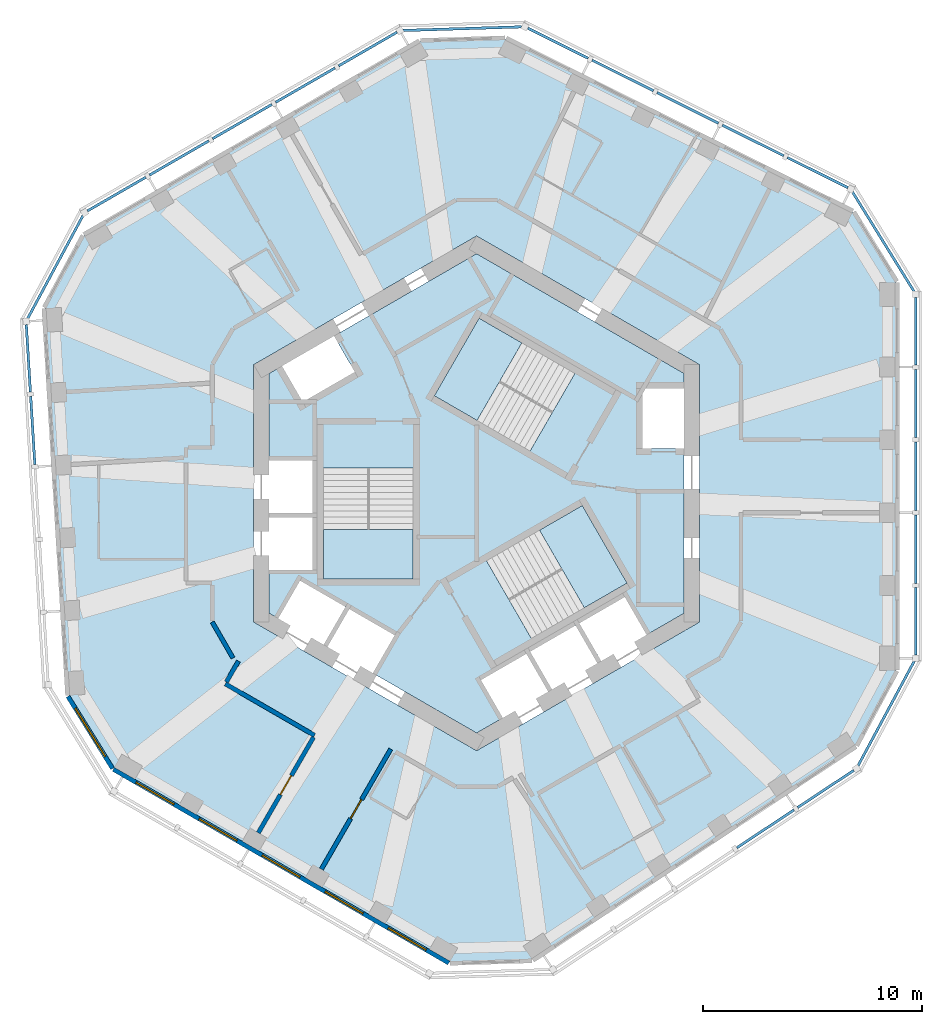
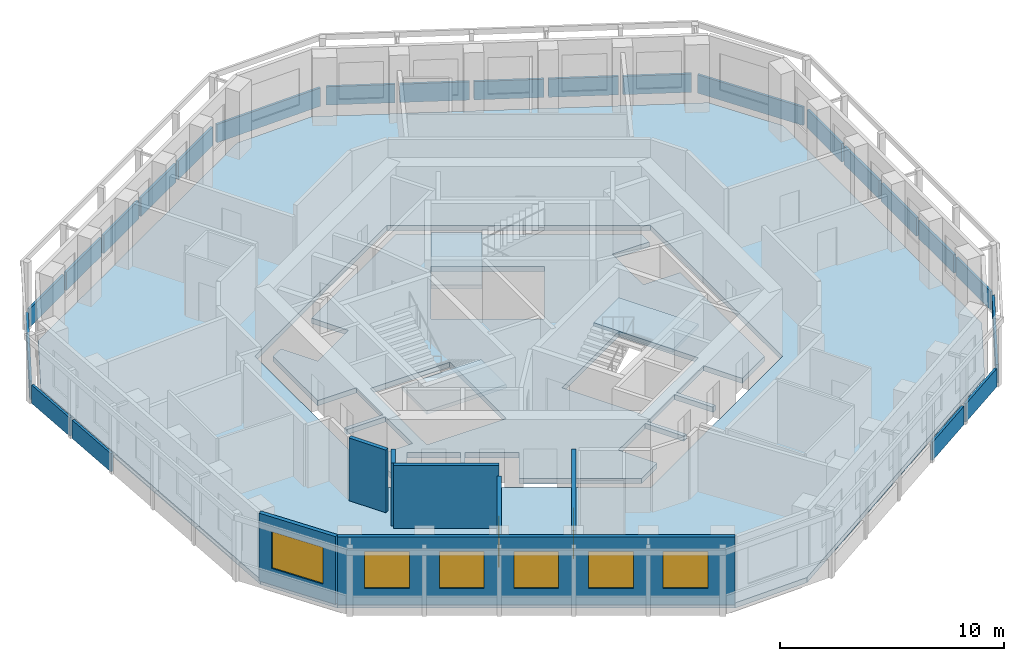
# One storey, part 3 of 10: 23 plates, 7 walls, 6 windows, 5 slabs, 2 doors, 8 openings, 12 elements without a shape of their own.
"""IFC4 building model written with IfcOpenShell, lengths in metres."""

from ifc_helpers import new_model, si_unit, direction, frame, frame_2d, origin, origin_2d, place, context, subcontext, project, spatial, polyline, rectangle, outline, extrude, material, layer, layer_set, type_object, element, fill, aggregate, save


model = new_model("IFC4")

# Units and contexts
model_context = context("Model", 3, precision=1e-05, world=origin(), true_north=direction((0.0, 1.0)))
body_context = subcontext(model_context, "Body", "Model", "MODEL_VIEW")
ifc_project = project(units=[si_unit("LENGTHUNIT", "METRE"), si_unit("AREAUNIT", "SQUARE_METRE"), si_unit("VOLUMEUNIT", "CUBIC_METRE"), si_unit("PLANEANGLEUNIT", "RADIAN"), si_unit("MASSUNIT", "GRAM", prefix="KILO")], contexts=[model_context])

# Site, building, storey
site_placement = place(None, origin())
site = spatial("IfcSite", under=ifc_project, at=site_placement, CompositionType="ELEMENT")
building_placement = place(site_placement, origin())
building = spatial("IfcBuilding", under=site, at=building_placement, Name="Vanh Sen Convention Tower", CompositionType="ELEMENT")
storey_placement = place(building_placement, frame((0.0, 0.0, 263.5)))
storey = spatial("IfcBuildingStorey", under=building, at=storey_placement, Name="L65", CompositionType="ELEMENT", Elevation=263.5)

# Slabs
ifc_material_1 = material(Name="Concrete C40/50", Category="concrete")
ifc_layer_1 = layer(ifc_material_1, 0.280029296875)
ifc_layer_set_1 = layer_set([ifc_layer_1], Name="Concrete C40/50")
slab_type_1 = type_object("IfcSlabType", Name="Core slab 280", PredefinedType="FLOOR", material=ifc_layer_set_1)
slab_1_placement = place(storey_placement, frame((0.0, 0.0, -0.280029296875)))
element("IfcSlab", 1, at=slab_1_placement, inside=storey, type_object=slab_type_1, Name="Core slab L65", PredefinedType="FLOOR", context=body_context, shape_type="SweptSolid", body=[
    extrude(outline(polyline([(0.0, 10.9697265625), (9.5, 5.48486328125), (9.5, 4.800048828125), (7.60009765625, 4.800048828125), (7.60009765625, 2.050048828125), (9.5, 2.050048828125), (9.5, -5.48486328125), (7.781005859375, -6.477294921875), (6.781005859375, -4.7451171875), (4.70263671875, -5.9453125), (5.70263671875, -7.67724609375), (5.529296875, -7.777099609375), (4.529296875, -6.045166015625), (2.450927734375, -7.2451171875), (3.450927734375, -8.977294921875), (3.27783203125, -9.0771484375), (2.27783203125, -7.34521484375), (0.19921875, -8.545166015625), (1.19921875, -10.277099609375), (0.0, -10.9697265625), (-4.75, -8.227294921875), (-3.75, -6.4951171875), (-5.82861328125, -5.295166015625), (-6.82861328125, -7.027099609375), (-7.001708984375, -6.92724609375), (-6.001708984375, -5.1953125), (-8.080078125, -3.9951171875), (-9.080078125, -5.727294921875), (-9.5, -5.48486328125), (-9.5, -3.5), (-7.5, -3.5), (-7.5, -1.10009765625), (-9.5, -1.10009765625), (-9.5, -0.89990234375), (-7.5, -0.89990234375), (-7.5, 1.5), (-9.5, 1.5), (-9.5, 5.48486328125), (-8.906982421875, 5.8271484375), (-7.956787109375, 4.181884765625), (-5.575439453125, 5.556884765625), (-6.525390625, 7.2021484375), (0.0, 10.9697265625)]), holes=[polyline([(-7.0, 1.1494140625), (-7.0, -3.909912109375), (-2.89990234375, -3.909912109375), (-2.89990234375, 1.1494140625), (-7.0, 1.1494140625)]), polyline([(2.504638671875, -6.63671875), (6.88623046875, -4.107177734375), (4.836181640625, -0.556396484375), (0.45458984375, -3.086181640625), (2.504638671875, -6.63671875)]), polyline([(0.11376953125, 8.01708984375), (-1.936279296875, 4.466552734375), (2.4453125, 1.936767578125), (4.495361328125, 5.487548828125), (0.11376953125, 8.01708984375)])]), origin(), (0.0, 0.0, 1.0), 0.280029296875),
])
ifc_layer_2 = layer(ifc_material_1, 0.280029296875)
ifc_layer_set_2 = layer_set([ifc_layer_2], Name="Concrete C40/50")
slab_type_2 = type_object("IfcSlabType", Name="Floor slab 280 REI 120", PredefinedType="FLOOR", material=ifc_layer_set_2)
slab_2_placement = place(storey_placement, frame((0.0, 0.0, -0.280029296875)))
element("IfcSlab", 2, at=slab_2_placement, inside=storey, type_object=slab_type_2, Name="Floor slab L65 tower", PredefinedType="FLOOR", context=body_context, shape_type="SweptSolid", body=[
    extrude(outline(polyline([(19.199951171875, -8.0966796875), (19.199951171875, 9.66162109375), (17.21337890625, 12.871826171875), (1.32080078125, 20.79541015625), (-2.587890625, 20.676025390625), (-17.967041015625, 11.796875), (-19.75390625, 8.471435546875), (-18.669921875, -9.25390625), (-16.612060546875, -12.579345703125), (-1.23291015625, -21.45849609375), (2.54052734375, -21.34326171875), (17.34912109375, -11.541748046875), (19.199951171875, -8.0966796875)]), holes=[polyline([(0.0, 11.77783203125), (-10.199951171875, 5.888916015625), (-10.199951171875, -5.888916015625), (0.0, -11.77783203125), (10.199951171875, -5.888916015625), (10.199951171875, 5.888916015625), (0.0, 11.77783203125)])]), origin(), (0.0, 0.0, 1.0), 0.280029296875),
])

# Curtain wall, plates
ifc_material_2 = material(Name="Concrete C50/60", Category="concrete")
curtain_wall_type = type_object("IfcCurtainWallType", Name="Outer skin office zone", PredefinedType="NOTDEFINED", material=ifc_material_2)
curtain_wall_1_placement = place(storey_placement, origin())
curtain_wall_1 = element("IfcCurtainWall", 3, at=curtain_wall_1_placement, inside=storey, type_object=curtain_wall_type, Name="OUTER SKIN E L65", PredefinedType="NOTDEFINED")
ifc_layer_3 = layer(ifc_material_2, 0.1201171875)
ifc_layer_set_3 = layer_set([ifc_layer_3], Name="Concrete C50/60")
plate_type = type_object("IfcPlateType", Name="Outer skin precast screen panel 120", PredefinedType="CURTAIN_PANEL", material=ifc_layer_set_3)
plate_1_placement = place(storey_placement, frame((20.10009765625, -5.85595703125, 0.0), z_axis=(0.0, 0.0, 1.0), x_axis=(0.0, 1.0, 0.0)))
plate_1 = element("IfcPlate", 4, at=plate_1_placement, type_object=plate_type, Name="OUTER SKIN screen panel E-1", PredefinedType="CURTAIN_PANEL", context=body_context, shape_type="SweptSolid", body=[
    extrude(rectangle(XDim=3.08154296875, YDim=0.1201171875, at=origin_2d()), origin(), (0.0, 0.0, 1.0), 1.0),
])
plate_2_placement = place(storey_placement, frame((20.10009765625, -2.54931640625, 0.0), z_axis=(0.0, 0.0, 1.0), x_axis=(0.0, 1.0, 0.0)))
plate_2 = element("IfcPlate", 5, at=plate_2_placement, type_object=plate_type, Name="OUTER SKIN screen panel E-2", PredefinedType="CURTAIN_PANEL", context=body_context, shape_type="SweptSolid", body=[
    extrude(rectangle(XDim=3.131591796875, YDim=0.1201171875, at=origin_2d()), origin(), (0.0, 0.0, 1.0), 1.0),
])
plate_3_placement = place(storey_placement, frame((20.10009765625, 0.782470703125, 0.0), z_axis=(0.0, 0.0, 1.0), x_axis=(0.0, 1.0, 0.0)))
plate_3 = element("IfcPlate", 6, at=plate_3_placement, type_object=plate_type, Name="OUTER SKIN screen panel E-3", PredefinedType="CURTAIN_PANEL", context=body_context, shape_type="SweptSolid", body=[
    extrude(rectangle(XDim=3.131591796875, YDim=0.1201171875, at=origin_2d()), origin(), (0.0, 0.0, 1.0), 1.0),
])
plate_4_placement = place(storey_placement, frame((20.10009765625, 4.114013671875, 0.0), z_axis=(0.0, 0.0, 1.0), x_axis=(0.0, 1.0, 0.0)))
plate_4 = element("IfcPlate", 7, at=plate_4_placement, type_object=plate_type, Name="OUTER SKIN screen panel E-4", PredefinedType="CURTAIN_PANEL", context=body_context, shape_type="SweptSolid", body=[
    extrude(rectangle(XDim=3.131591796875, YDim=0.1201171875, at=origin_2d()), origin(), (0.0, 0.0, 1.0), 1.0),
])
plate_5_placement = place(storey_placement, frame((20.10009765625, 7.420654296875, 0.0), z_axis=(0.0, 0.0, 1.0), x_axis=(0.0, 1.0, 0.0)))
plate_5 = element("IfcPlate", 8, at=plate_5_placement, type_object=plate_type, Name="OUTER SKIN screen panel E-5", PredefinedType="CURTAIN_PANEL", context=body_context, shape_type="SweptSolid", body=[
    extrude(rectangle(XDim=3.08154296875, YDim=0.1201171875, at=origin_2d()), origin(), (0.0, 0.0, 1.0), 1.0),
])
aggregate(curtain_wall_1, [plate_1, plate_2, plate_3, plate_4, plate_5])

# Curtain wall, plate
curtain_wall_2_placement = place(storey_placement, origin())
curtain_wall_2 = element("IfcCurtainWall", 9, at=curtain_wall_2_placement, inside=storey, type_object=curtain_wall_type, Name="OUTER SKIN CH1 L65", PredefinedType="NOTDEFINED")
plate_6_placement = place(storey_placement, frame((18.611328125, 11.51708984375, 0.0), z_axis=(0.0, 0.0, 1.0), x_axis=(-0.526218376078, 0.850349469734, 0.0)))
plate_6 = element("IfcPlate", 10, at=plate_6_placement, type_object=plate_type, Name="OUTER SKIN screen panel CH1-1", PredefinedType="CURTAIN_PANEL", context=body_context, shape_type="SweptSolid", body=[
    extrude(rectangle(XDim=5.35791015625, YDim=0.1201171875, at=origin_2d()), origin(), (0.0, 0.0, 1.0), 1.0),
])
aggregate(curtain_wall_2, [plate_6])

# Curtain wall, plates
curtain_wall_3_placement = place(storey_placement, origin())
curtain_wall_3 = element("IfcCurtainWall", 11, at=curtain_wall_3_placement, inside=storey, type_object=curtain_wall_type, Name="OUTER SKIN NE L65", PredefinedType="NOTDEFINED")
plate_7_placement = place(storey_placement, frame((15.609619140625, 14.677001953125, 0.0), z_axis=(0.0, 0.0, 1.0), x_axis=(-0.894931246532, 0.446204060919, 0.0)))
plate_7 = element("IfcPlate", 12, at=plate_7_placement, type_object=plate_type, Name="OUTER SKIN screen panel NE-1", PredefinedType="CURTAIN_PANEL", context=body_context, shape_type="SweptSolid", body=[
    extrude(rectangle(XDim=3.081787109375, YDim=0.1201171875, at=origin_2d()), origin(), (0.0, 0.0, 1.0), 1.0),
])
plate_8_placement = place(storey_placement, frame((12.650390625, 16.152587890625, 0.0), z_axis=(0.0, 0.0, 1.0), x_axis=(-0.894931246532, 0.446204060919, 0.0)))
plate_8 = element("IfcPlate", 13, at=plate_8_placement, type_object=plate_type, Name="OUTER SKIN screen panel NE-2", PredefinedType="CURTAIN_PANEL", context=body_context, shape_type="SweptSolid", body=[
    extrude(rectangle(XDim=3.131591796875, YDim=0.1201171875, at=origin_2d()), origin(), (0.0, 0.0, 1.0), 1.0),
])
plate_9_placement = place(storey_placement, frame((9.668701171875, 17.63916015625, 0.0), z_axis=(0.0, 0.0, 1.0), x_axis=(-0.894931246532, 0.446204060919, 0.0)))
plate_9 = element("IfcPlate", 14, at=plate_9_placement, type_object=plate_type, Name="OUTER SKIN screen panel NE-3", PredefinedType="CURTAIN_PANEL", context=body_context, shape_type="SweptSolid", body=[
    extrude(rectangle(XDim=3.131591796875, YDim=0.1201171875, at=origin_2d()), origin(), (0.0, 0.0, 1.0), 1.0),
])
plate_10_placement = place(storey_placement, frame((6.687255859375, 19.125732421875, 0.0), z_axis=(0.0, 0.0, 1.0), x_axis=(-0.89494292782, 0.446180631521, 0.0)))
plate_10 = element("IfcPlate", 15, at=plate_10_placement, type_object=plate_type, Name="OUTER SKIN screen panel NE-4", PredefinedType="CURTAIN_PANEL", context=body_context, shape_type="SweptSolid", body=[
    extrude(rectangle(XDim=3.131591796875, YDim=0.1201171875, at=origin_2d()), origin(), (0.0, 0.0, 1.0), 1.0),
])
plate_11_placement = place(storey_placement, frame((3.727783203125, 20.60107421875, 0.0), z_axis=(0.0, 0.0, 1.0), x_axis=(-0.894931246532, 0.446204060919, 0.0)))
plate_11 = element("IfcPlate", 16, at=plate_11_placement, type_object=plate_type, Name="OUTER SKIN screen panel NE-5", PredefinedType="CURTAIN_PANEL", context=body_context, shape_type="SweptSolid", body=[
    extrude(rectangle(XDim=3.081787109375, YDim=0.1201171875, at=origin_2d()), origin(), (0.0, 0.0, 1.0), 1.0),
])
aggregate(curtain_wall_3, [plate_7, plate_8, plate_9, plate_10, plate_11])

# Curtain wall, plate
curtain_wall_4_placement = place(storey_placement, origin())
curtain_wall_4 = element("IfcCurtainWall", 17, at=curtain_wall_4_placement, inside=storey, type_object=curtain_wall_type, Name="OUTER SKIN CH2 L65", PredefinedType="NOTDEFINED")
plate_12_placement = place(storey_placement, frame((-0.64990234375, 21.26806640625, 0.0), z_axis=(0.0, 0.0, 1.0), x_axis=(-0.99953391058, -0.030528046117, 0.0)))
plate_12 = element("IfcPlate", 18, at=plate_12_placement, type_object=plate_type, Name="OUTER SKIN screen panel CH2-1", PredefinedType="CURTAIN_PANEL", context=body_context, shape_type="SweptSolid", body=[
    extrude(rectangle(XDim=5.431640625, YDim=0.1201171875, at=origin_2d()), origin(), (0.0, 0.0, 1.0), 1.0),
])
aggregate(curtain_wall_4, [plate_12])

# Curtain wall, plates
curtain_wall_5_placement = place(storey_placement, origin())
curtain_wall_5 = element("IfcCurtainWall", 19, at=curtain_wall_5_placement, inside=storey, type_object=curtain_wall_type, Name="OUTER SKIN NW L65", PredefinedType="NOTDEFINED")
plate_13_placement = place(storey_placement, frame((-4.978515625, 20.335205078125, 0.0), z_axis=(0.0, 0.0, 1.0), x_axis=(-0.866015804314, -0.500016626402, 0.0)))
plate_13 = element("IfcPlate", 20, at=plate_13_placement, type_object=plate_type, Name="OUTER SKIN screen panel NW-1", PredefinedType="CURTAIN_PANEL", context=body_context, shape_type="SweptSolid", body=[
    extrude(rectangle(XDim=3.081787109375, YDim=0.1201171875, at=origin_2d()), origin(), (0.0, 0.0, 1.0), 1.0),
])
plate_14_placement = place(storey_placement, frame((-7.84228515625, 18.681640625, 0.0), z_axis=(0.0, 0.0, 1.0), x_axis=(-0.866028894422, -0.49999395399, 0.0)))
plate_14 = element("IfcPlate", 21, at=plate_14_placement, type_object=plate_type, Name="OUTER SKIN screen panel NW-2", PredefinedType="CURTAIN_PANEL", context=body_context, shape_type="SweptSolid", body=[
    extrude(rectangle(XDim=3.131591796875, YDim=0.1201171875, at=origin_2d()), origin(), (0.0, 0.0, 1.0), 1.0),
])
plate_15_placement = place(storey_placement, frame((-10.7275390625, 17.015869140625, 0.0), z_axis=(0.0, 0.0, 1.0), x_axis=(-0.866028894422, -0.49999395399, 0.0)))
plate_15 = element("IfcPlate", 22, at=plate_15_placement, type_object=plate_type, Name="OUTER SKIN screen panel NW-3", PredefinedType="CURTAIN_PANEL", context=body_context, shape_type="SweptSolid", body=[
    extrude(rectangle(XDim=3.131591796875, YDim=0.1201171875, at=origin_2d()), origin(), (0.0, 0.0, 1.0), 1.0),
])
plate_16_placement = place(storey_placement, frame((-13.61279296875, 15.35009765625, 0.0), z_axis=(0.0, 0.0, 1.0), x_axis=(-0.866015804314, -0.500016626402, 0.0)))
plate_16 = element("IfcPlate", 23, at=plate_16_placement, type_object=plate_type, Name="OUTER SKIN screen panel NW-4", PredefinedType="CURTAIN_PANEL", context=body_context, shape_type="SweptSolid", body=[
    extrude(rectangle(XDim=3.131591796875, YDim=0.1201171875, at=origin_2d()), origin(), (0.0, 0.0, 1.0), 1.0),
])
plate_17_placement = place(storey_placement, frame((-16.4765625, 13.69677734375, 0.0), z_axis=(0.0, 0.0, 1.0), x_axis=(-0.866028894422, -0.49999395399, 0.0)))
plate_17 = element("IfcPlate", 24, at=plate_17_placement, type_object=plate_type, Name="OUTER SKIN screen panel NW-5", PredefinedType="CURTAIN_PANEL", context=body_context, shape_type="SweptSolid", body=[
    extrude(rectangle(XDim=3.08154296875, YDim=0.1201171875, at=origin_2d()), origin(), (0.0, 0.0, 1.0), 1.0),
])
aggregate(curtain_wall_5, [plate_13, plate_14, plate_15, plate_16, plate_17])

# Curtain wall, plate
curtain_wall_6_placement = place(storey_placement, origin())
curtain_wall_6 = element("IfcCurtainWall", 25, at=curtain_wall_6_placement, inside=storey, type_object=curtain_wall_type, Name="OUTER SKIN CH3 L65", PredefinedType="NOTDEFINED")
plate_18_placement = place(storey_placement, frame((-19.27978515625, 10.359375, 0.0), z_axis=(0.0, 0.0, 1.0), x_axis=(-0.473324279511, -0.880888259897, 0.0)))
plate_18 = element("IfcPlate", 26, at=plate_18_placement, type_object=plate_type, Name="OUTER SKIN screen panel CH3-1", PredefinedType="CURTAIN_PANEL", context=body_context, shape_type="SweptSolid", body=[
    extrude(rectangle(XDim=5.35791015625, YDim=0.1201171875, at=origin_2d()), origin(), (0.0, 0.0, 1.0), 1.0),
])
aggregate(curtain_wall_6, [plate_18])

# Curtain wall, plates
curtain_wall_7_placement = place(storey_placement, origin())
curtain_wall_7 = element("IfcCurtainWall", 27, at=curtain_wall_7_placement, inside=storey, type_object=curtain_wall_type, Name="OUTER SKIN W L65", PredefinedType="NOTDEFINED")
plate_19_placement = place(storey_placement, frame((-20.515380859375, 6.1796875, 0.0), z_axis=(0.0, 0.0, 1.0), x_axis=(0.061052023682, -0.998134585316, 0.0)))
plate_19 = element("IfcPlate", 28, at=plate_19_placement, type_object=plate_type, Name="OUTER SKIN screen panel W-1", PredefinedType="CURTAIN_PANEL", context=body_context, shape_type="SweptSolid", body=[
    extrude(rectangle(XDim=3.08154296875, YDim=0.1201171875, at=origin_2d()), origin(), (0.0, 0.0, 1.0), 1.0),
])
plate_20_placement = place(storey_placement, frame((-20.313720703125, 2.87939453125, 0.0), z_axis=(0.0, 0.0, 1.0), x_axis=(0.061050281609, -0.998134691871, 0.0)))
plate_20 = element("IfcPlate", 29, at=plate_20_placement, type_object=plate_type, Name="OUTER SKIN screen panel W-2", PredefinedType="CURTAIN_PANEL", context=body_context, shape_type="SweptSolid", body=[
    extrude(rectangle(XDim=3.131591796875, YDim=0.1201171875, at=origin_2d()), origin(), (0.0, 0.0, 1.0), 1.0),
])
aggregate(curtain_wall_7, [plate_19, plate_20])

curtain_wall_8_placement = place(storey_placement, origin())
curtain_wall_8 = element("IfcCurtainWall", 30, at=curtain_wall_8_placement, inside=storey, type_object=curtain_wall_type, Name="OUTER SKIN SE L65", PredefinedType="NOTDEFINED")
plate_21_placement = place(storey_placement, frame((13.2197265625, -15.35400390625, 0.0), z_axis=(0.0, 0.0, 1.0), x_axis=(0.833879078823, 0.551947173108, 0.0)))
plate_21 = element("IfcPlate", 31, at=plate_21_placement, type_object=plate_type, Name="OUTER SKIN screen panel SE-4", PredefinedType="CURTAIN_PANEL", context=body_context, shape_type="SweptSolid", body=[
    extrude(rectangle(XDim=3.131591796875, YDim=0.1201171875, at=origin_2d()), origin(), (0.0, 0.0, 1.0), 1.0),
])
plate_22_placement = place(storey_placement, frame((15.97705078125, -13.529052734375, 0.0), z_axis=(0.0, 0.0, 1.0), x_axis=(0.833879078823, 0.551947173108, 0.0)))
plate_22 = element("IfcPlate", 32, at=plate_22_placement, type_object=plate_type, Name="OUTER SKIN screen panel SE-5", PredefinedType="CURTAIN_PANEL", context=body_context, shape_type="SweptSolid", body=[
    extrude(rectangle(XDim=3.081787109375, YDim=0.1201171875, at=origin_2d()), origin(), (0.0, 0.0, 1.0), 1.0),
])
aggregate(curtain_wall_8, [plate_21, plate_22])

# Curtain wall, plate
curtain_wall_9_placement = place(storey_placement, origin())
curtain_wall_9 = element("IfcCurtainWall", 33, at=curtain_wall_9_placement, inside=storey, type_object=curtain_wall_type, Name="OUTER SKIN CH6 L65", PredefinedType="NOTDEFINED")
plate_23_placement = place(storey_placement, frame((18.743408203125, -10.0712890625, 0.0), z_axis=(0.0, 0.0, 1.0), x_axis=(0.473324279511, 0.880888259897, 0.0)))
plate_23 = element("IfcPlate", 34, at=plate_23_placement, type_object=plate_type, Name="OUTER SKIN screen panel CH6-1", PredefinedType="CURTAIN_PANEL", context=body_context, shape_type="SweptSolid", body=[
    extrude(rectangle(XDim=5.431884765625, YDim=0.1201171875, at=origin_2d()), origin(), (0.0, 0.0, 1.0), 1.0),
])
aggregate(curtain_wall_9, [plate_23])

# Stair, slab
ifc_material_3 = material(Name="Concrete C50/60", Category="concrete")
stair_type_1 = type_object("IfcStairType", Name="Exit stair ST1 22 risers at 168.2", PredefinedType="HALF_TURN_STAIR", material=ifc_material_3)
stair_1_placement = place(storey_placement, origin())
stair_1 = element("IfcStair", 35, at=stair_1_placement, inside=storey, type_object=stair_type_1, Name="Exit stair ST1 L65", PredefinedType="HALF_TURN_STAIR")
ifc_layer_4 = layer(ifc_material_1, 0.199951171875)
ifc_layer_set_4 = layer_set([ifc_layer_4], Name="Concrete C40/50")
slab_type_3 = type_object("IfcSlabType", Name="Stair landing 200", PredefinedType="LANDING", material=ifc_layer_set_4)
slab_3_placement = place(storey_placement, frame((0.0, 0.0, 1.64990234375)))
slab_3 = element("IfcSlab", 36, at=slab_3_placement, type_object=slab_type_3, Name="ST1 landing 1", PredefinedType="LANDING", context=body_context, shape_type="SweptSolid", body=[
    extrude(outline(polyline([(2.07177734375, 6.88671875), (0.11376953125, 8.01708984375), (-1.936279296875, 4.466552734375), (0.021728515625, 3.336181640625), (2.07177734375, 6.88671875)])), origin(), (0.0, 0.0, 1.0), 0.2001953125),
])
aggregate(stair_1, [slab_3])

stair_type_2 = type_object("IfcStairType", Name="Exit stair ST2 22 risers at 168.2", PredefinedType="HALF_TURN_STAIR", material=ifc_material_3)
stair_2_placement = place(storey_placement, origin())
stair_2 = element("IfcStair", 37, at=stair_2_placement, inside=storey, type_object=stair_type_2, Name="Exit stair ST2 L65", PredefinedType="HALF_TURN_STAIR")
slab_4_placement = place(storey_placement, frame((0.0, 0.0, 1.64990234375)))
slab_4 = element("IfcSlab", 38, at=slab_4_placement, type_object=slab_type_3, Name="ST2 landing 1", PredefinedType="LANDING", context=body_context, shape_type="SweptSolid", body=[
    extrude(outline(polyline([(-7.0, -1.6494140625), (-7.0, -3.909912109375), (-2.89990234375, -3.909912109375), (-2.89990234375, -1.6494140625), (-7.0, -1.6494140625)])), origin(), (0.0, 0.0, 1.0), 0.2001953125),
])
aggregate(stair_2, [slab_4])

stair_type_3 = type_object("IfcStairType", Name="Exit stair ST3 22 risers at 168.2", PredefinedType="HALF_TURN_STAIR", material=ifc_material_3)
stair_3_placement = place(storey_placement, origin())
stair_3 = element("IfcStair", 39, at=stair_3_placement, inside=storey, type_object=stair_type_3, Name="Exit stair ST3 L65", PredefinedType="HALF_TURN_STAIR")
slab_5_placement = place(storey_placement, frame((0.0, 0.0, 1.64990234375)))
slab_5 = element("IfcSlab", 40, at=slab_5_placement, type_object=slab_type_3, Name="ST3 landing 1", PredefinedType="LANDING", context=body_context, shape_type="SweptSolid", body=[
    extrude(outline(polyline([(4.92822265625, -5.237548828125), (6.88623046875, -4.107177734375), (4.836181640625, -0.556396484375), (2.87841796875, -1.686767578125), (4.92822265625, -5.237548828125)])), origin(), (0.0, 0.0, 1.0), 0.2001953125),
])
aggregate(stair_3, [slab_5])

# Walls
ifc_material_4 = material(Name="Gypsum board on steel studs with mineral wool", Category="steel")
ifc_layer_5 = layer(ifc_material_4, 0.199951171875)
ifc_layer_set_5 = layer_set([ifc_layer_5], Name="Gypsum board on steel studs with mineral wool")
wall_type_1 = type_object("IfcWallType", Name="Corridor partition wall 200", PredefinedType="PARTITIONING", material=ifc_layer_set_5)
wall_1_placement = place(storey_placement, frame((-12.10009765625, -5.888916015625, 0.0), z_axis=(0.0, 0.0, 1.0), x_axis=(0.500063520245, -0.865988727248, 0.0)))
element("IfcWall", 41, at=wall_1_placement, inside=storey, type_object=wall_type_1, Name="Corridor partition wall 200", PredefinedType="PARTITIONING", context=body_context, shape_type="SweptSolid", body=[
    extrude(rectangle(XDim=1.900146484375, YDim=0.199951171875, at=frame_2d((0.9501953125, 0.0))), origin(), (0.0, 0.0, 1.0), 3.419921875),
])
wall_2_placement = place(storey_placement, frame((-11.501220703125, -8.718505859375, 0.0), z_axis=(0.0, 0.0, 1.0), x_axis=(0.866024434742, -0.500001678427, 0.0)))
element("IfcWall", 42, at=wall_2_placement, inside=storey, type_object=wall_type_1, Name="Corridor partition wall 200", PredefinedType="PARTITIONING", context=body_context, shape_type="SweptSolid", body=[
    extrude(rectangle(XDim=4.7177734375, YDim=0.199951171875, at=frame_2d((2.35888671875, 0.0))), origin(), (0.0, 0.0, 1.0), 3.419921875),
])
wall_3_placement = place(storey_placement, frame((-10.900634765625, -7.678466796875, 0.0), z_axis=(0.0, 0.0, 1.0), x_axis=(-0.500074377092, -0.865982457891, 0.0)))
element("IfcWall", 43, at=wall_3_placement, inside=storey, type_object=wall_type_1, Name="Corridor partition wall 200", PredefinedType="PARTITIONING", context=body_context, shape_type="SweptSolid", body=[
    extrude(rectangle(XDim=1.100830078125, YDim=0.199951171875, at=frame_2d((0.55029296875, 0.0))), origin(), (0.0, 0.0, 1.0), 3.419921875),
])

# Wall, opening, door
wall_4_placement = place(storey_placement, frame((-9.989990234375, -15.53662109375, 0.0), z_axis=(0.0, 0.0, 1.0), x_axis=(0.499966611936, 0.866044679534, 0.0)))
wall_4 = element("IfcWall", 44, at=wall_4_placement, inside=storey, type_object=wall_type_1, Name="Corridor partition wall 200", PredefinedType="PARTITIONING", context=body_context, shape_type="SweptSolid", body=[
    extrude(rectangle(XDim=5.049072265625, YDim=0.199951171875, at=frame_2d((2.5244140625, 0.0))), origin(), (0.0, 0.0, 1.0), 2.8701171875),
])
opening_1_placement = place(wall_4_placement, frame((2.0244140625, 0.0, 0.0)))
opening_1 = element("IfcOpeningElement", 45, at=opening_1_placement, cuts=wall_4, Name="Opening D64110", PredefinedType="OPENING", context=body_context, shape_type="SweptSolid", body=[
    extrude(rectangle(XDim=1.0, YDim=2.10009765625, at=frame_2d((0.5, 1.050048828125))), frame((0.0, 0.10986328125, 0.0), z_axis=(0.0, -1.0, 0.0), x_axis=(1.0, 0.0, 0.0)), (0.0, 0.0, 1.0), 0.219970703125),
])
ifc_material_5 = material(Name="Glazed fire door in steel frame", Category="steel")
door_type = type_object("IfcDoorType", Name="Tenant entrance door 1000", OperationType="SINGLE_SWING_LEFT", PredefinedType="DOOR", material=ifc_material_5)
door_1_placement = place(opening_1_placement, origin())
door_1 = element("IfcDoor", 46, at=door_1_placement, inside=storey, type_object=door_type, Name="Tenant suite entrance door D64110", OperationType="SINGLE_SWING_LEFT", OverallHeight=2.10009765625, OverallWidth=1.0, PredefinedType="DOOR", context=body_context, shape_type="SweptSolid", body=[
    extrude(rectangle(XDim=1.0, YDim=2.10009765625, at=frame_2d((0.5, 1.050048828125))), frame((0.0, 0.02490234375, 0.0), z_axis=(0.0, -1.0, 0.0), x_axis=(1.0, 0.0, 0.0)), (0.0, 0.0, 1.0), 0.050048828125),
])
fill(opening_1, door_1)

wall_5_placement = place(storey_placement, frame((-7.104736328125, -17.202392578125, 0.0), z_axis=(0.0, 0.0, 1.0), x_axis=(0.499988692146, 0.866031932279, 0.0)))
wall_5 = element("IfcWall", 47, at=wall_5_placement, inside=storey, type_object=wall_type_1, Name="Corridor partition wall 200", PredefinedType="PARTITIONING", context=body_context, shape_type="SweptSolid", body=[
    extrude(rectangle(XDim=6.350341796875, YDim=0.199951171875, at=frame_2d((3.17529296875, 0.0))), origin(), (0.0, 0.0, 1.0), 3.419921875),
])
opening_2_placement = place(wall_5_placement, frame((2.675048828125, 0.0, 0.0)))
opening_2 = element("IfcOpeningElement", 48, at=opening_2_placement, cuts=wall_5, Name="Opening D64112", PredefinedType="OPENING", context=body_context, shape_type="SweptSolid", body=[
    extrude(rectangle(XDim=1.0, YDim=2.10009765625, at=frame_2d((0.5, 1.050048828125))), frame((0.0, 0.10986328125, 0.0), z_axis=(0.0, -1.0, 0.0), x_axis=(1.0, 0.0, 0.0)), (0.0, 0.0, 1.0), 0.219970703125),
])
door_2_placement = place(opening_2_placement, origin())
door_2 = element("IfcDoor", 49, at=door_2_placement, inside=storey, type_object=door_type, Name="Tenant suite entrance door D64112", OperationType="SINGLE_SWING_LEFT", OverallHeight=2.10009765625, OverallWidth=1.0, PredefinedType="DOOR", context=body_context, shape_type="SweptSolid", body=[
    extrude(rectangle(XDim=1.0, YDim=2.10009765625, at=frame_2d((0.5, 1.050048828125))), frame((0.0, 0.02490234375, 0.0), z_axis=(0.0, -1.0, 0.0), x_axis=(1.0, 0.0, 0.0)), (0.0, 0.0, 1.0), 0.050048828125),
])
fill(opening_2, door_2)

# Wall, opening, window
ifc_material_6 = material(Name="Insulated lightweight infill wall")
ifc_layer_6 = layer(ifc_material_6, 0.199951171875)
ifc_layer_set_6 = layer_set([ifc_layer_6], Name="Insulated lightweight infill wall")
wall_type_2 = type_object("IfcWallType", Name="External wall 200", PredefinedType="STANDARD", material=ifc_layer_set_6)
wall_6_placement = place(storey_placement, frame((-18.705810546875, -9.290771484375, 0.0), z_axis=(0.0, 0.0, 1.0), x_axis=(0.526209683648, -0.850354848775, 0.0)))
wall_6 = element("IfcWall", 50, at=wall_6_placement, inside=storey, type_object=wall_type_2, Name="External wall CH4 L65", PredefinedType="STANDARD", context=body_context, shape_type="SweptSolid", body=[
    extrude(rectangle(XDim=3.8857421875, YDim=0.199951171875, at=frame_2d((1.94287109375, 0.0))), origin(), (0.0, 0.0, 1.0), 3.699951171875),
])
opening_3_placement = place(wall_6_placement, frame((0.642822265625, 0.0, 0.89990234375)))
opening_3 = element("IfcOpeningElement", 51, at=opening_3_placement, cuts=wall_6, Name="Opening WO6-CH41", PredefinedType="OPENING", context=body_context, shape_type="SweptSolid", body=[
    extrude(rectangle(XDim=2.60009765625, YDim=2.0, at=frame_2d((1.300048828125, 1.0))), frame((0.0, 0.10986328125, 0.0), z_axis=(0.0, -1.0, 0.0), x_axis=(1.0, 0.0, 0.0)), (0.0, 0.0, 1.0), 0.219970703125),
])
ifc_material_7 = material(Name="Aluminium frame with clear low-emissivity glass", Category="aluminium")
window_type_1 = type_object("IfcWindowType", Name="Office window 2600 x 2000", PartitioningType="SINGLE_PANEL", PredefinedType="WINDOW", material=ifc_material_7)
window_1_placement = place(opening_3_placement, origin())
window_1 = element("IfcWindow", 52, at=window_1_placement, inside=storey, type_object=window_type_1, Name="Window WO6-CH41", OverallHeight=2.0, OverallWidth=2.60009765625, PartitioningType="SINGLE_PANEL", PredefinedType="WINDOW", context=body_context, shape_type="SweptSolid", body=[
    extrude(rectangle(XDim=2.60009765625, YDim=2.0, at=frame_2d((1.300048828125, 1.0))), frame((0.0, 0.030029296875, 0.0), z_axis=(0.0, -1.0, 0.0), x_axis=(1.0, 0.0, 0.0)), (0.0, 0.0, 1.0), 0.06005859375),
])
fill(opening_3, window_1)

# Wall, openings, windows
wall_7_placement = place(storey_placement, frame((-16.626220703125, -12.62890625, 0.0), z_axis=(0.0, 0.0, 1.0), x_axis=(0.866026460444, -0.499998169808, 0.0)))
wall_7 = element("IfcWall", 53, at=wall_7_placement, inside=storey, type_object=wall_type_2, Name="External wall SW L65", PredefinedType="STANDARD", context=body_context, shape_type="SweptSolid", body=[
    extrude(rectangle(XDim=17.7314453125, YDim=0.199951171875, at=frame_2d((8.86572265625, 0.0))), origin(), (0.0, 0.0, 1.0), 3.699951171875),
])
opening_4_placement = place(wall_7_placement, frame((1.203125, 0.0, 0.89990234375)))
opening_4 = element("IfcOpeningElement", 54, at=opening_4_placement, cuts=wall_7, Name="Opening WO5-SW1", PredefinedType="OPENING", context=body_context, shape_type="SweptSolid", body=[
    extrude(rectangle(XDim=2.0, YDim=2.0, at=frame_2d((1.0, 1.0))), frame((0.0, 0.10986328125, 0.0), z_axis=(0.0, -1.0, 0.0), x_axis=(1.0, 0.0, 0.0)), (0.0, 0.0, 1.0), 0.219970703125),
])
opening_5_placement = place(wall_7_placement, frame((4.534912109375, 0.0, 0.89990234375)))
opening_5 = element("IfcOpeningElement", 55, at=opening_5_placement, cuts=wall_7, Name="Opening WO5-SW2", PredefinedType="OPENING", context=body_context, shape_type="SweptSolid", body=[
    extrude(rectangle(XDim=2.0, YDim=2.0, at=frame_2d((1.0, 1.0))), frame((0.0, 0.10986328125, 0.0), z_axis=(0.0, -1.0, 0.0), x_axis=(1.0, 0.0, 0.0)), (0.0, 0.0, 1.0), 0.219970703125),
])
opening_6_placement = place(wall_7_placement, frame((7.86669921875, 0.0, 0.89990234375)))
opening_6 = element("IfcOpeningElement", 56, at=opening_6_placement, cuts=wall_7, Name="Opening WO5-SW3", PredefinedType="OPENING", context=body_context, shape_type="SweptSolid", body=[
    extrude(rectangle(XDim=2.0, YDim=2.0, at=frame_2d((1.0, 1.0))), frame((0.0, 0.10986328125, 0.0), z_axis=(0.0, -1.0, 0.0), x_axis=(1.0, 0.0, 0.0)), (0.0, 0.0, 1.0), 0.219970703125),
])
opening_7_placement = place(wall_7_placement, frame((11.1982421875, 0.0, 0.89990234375)))
opening_7 = element("IfcOpeningElement", 57, at=opening_7_placement, cuts=wall_7, Name="Opening WO5-SW4", PredefinedType="OPENING", context=body_context, shape_type="SweptSolid", body=[
    extrude(rectangle(XDim=2.0, YDim=2.0, at=frame_2d((1.0, 1.0))), frame((0.0, 0.10986328125, 0.0), z_axis=(0.0, -1.0, 0.0), x_axis=(1.0, 0.0, 0.0)), (0.0, 0.0, 1.0), 0.219970703125),
])
opening_8_placement = place(wall_7_placement, frame((14.52978515625, 0.0, 0.89990234375)))
opening_8 = element("IfcOpeningElement", 58, at=opening_8_placement, cuts=wall_7, Name="Opening WO5-SW5", PredefinedType="OPENING", context=body_context, shape_type="SweptSolid", body=[
    extrude(rectangle(XDim=2.0, YDim=2.0, at=frame_2d((1.0, 1.0))), frame((0.0, 0.10986328125, 0.0), z_axis=(0.0, -1.0, 0.0), x_axis=(1.0, 0.0, 0.0)), (0.0, 0.0, 1.0), 0.219970703125),
])
window_type_2 = type_object("IfcWindowType", Name="Office window 2000 x 2000", PartitioningType="SINGLE_PANEL", PredefinedType="WINDOW", material=ifc_material_7)
window_2_placement = place(opening_4_placement, origin())
window_2 = element("IfcWindow", 59, at=window_2_placement, inside=storey, type_object=window_type_2, Name="Window WO5-SW1", OverallHeight=2.0, OverallWidth=2.0, PartitioningType="SINGLE_PANEL", PredefinedType="WINDOW", context=body_context, shape_type="SweptSolid", body=[
    extrude(rectangle(XDim=2.0, YDim=2.0, at=frame_2d((1.0, 1.0))), frame((0.0, 0.030029296875, 0.0), z_axis=(0.0, -1.0, 0.0), x_axis=(1.0, 0.0, 0.0)), (0.0, 0.0, 1.0), 0.06005859375),
])
fill(opening_4, window_2)
window_3_placement = place(opening_5_placement, origin())
window_3 = element("IfcWindow", 60, at=window_3_placement, inside=storey, type_object=window_type_2, Name="Window WO5-SW2", OverallHeight=2.0, OverallWidth=2.0, PartitioningType="SINGLE_PANEL", PredefinedType="WINDOW", context=body_context, shape_type="SweptSolid", body=[
    extrude(rectangle(XDim=2.0, YDim=2.0, at=frame_2d((1.0, 1.0))), frame((0.0, 0.030029296875, 0.0), z_axis=(0.0, -1.0, 0.0), x_axis=(1.0, 0.0, 0.0)), (0.0, 0.0, 1.0), 0.06005859375),
])
fill(opening_5, window_3)
window_4_placement = place(opening_6_placement, origin())
window_4 = element("IfcWindow", 61, at=window_4_placement, inside=storey, type_object=window_type_2, Name="Window WO5-SW3", OverallHeight=2.0, OverallWidth=2.0, PartitioningType="SINGLE_PANEL", PredefinedType="WINDOW", context=body_context, shape_type="SweptSolid", body=[
    extrude(rectangle(XDim=2.0, YDim=2.0, at=frame_2d((1.0, 1.0))), frame((0.0, 0.030029296875, 0.0), z_axis=(0.0, -1.0, 0.0), x_axis=(1.0, 0.0, 0.0)), (0.0, 0.0, 1.0), 0.06005859375),
])
fill(opening_6, window_4)
window_5_placement = place(opening_7_placement, origin())
window_5 = element("IfcWindow", 62, at=window_5_placement, inside=storey, type_object=window_type_2, Name="Window WO5-SW4", OverallHeight=2.0, OverallWidth=2.0, PartitioningType="SINGLE_PANEL", PredefinedType="WINDOW", context=body_context, shape_type="SweptSolid", body=[
    extrude(rectangle(XDim=2.0, YDim=2.0, at=frame_2d((1.0, 1.0))), frame((0.0, 0.030029296875, 0.0), z_axis=(0.0, -1.0, 0.0), x_axis=(1.0, 0.0, 0.0)), (0.0, 0.0, 1.0), 0.06005859375),
])
fill(opening_7, window_5)
window_6_placement = place(opening_8_placement, origin())
window_6 = element("IfcWindow", 63, at=window_6_placement, inside=storey, type_object=window_type_2, Name="Window WO5-SW5", OverallHeight=2.0, OverallWidth=2.0, PartitioningType="SINGLE_PANEL", PredefinedType="WINDOW", context=body_context, shape_type="SweptSolid", body=[
    extrude(rectangle(XDim=2.0, YDim=2.0, at=frame_2d((1.0, 1.0))), frame((0.0, 0.030029296875, 0.0), z_axis=(0.0, -1.0, 0.0), x_axis=(1.0, 0.0, 0.0)), (0.0, 0.0, 1.0), 0.06005859375),
])
fill(opening_8, window_6)

save(model, "model.ifc")
